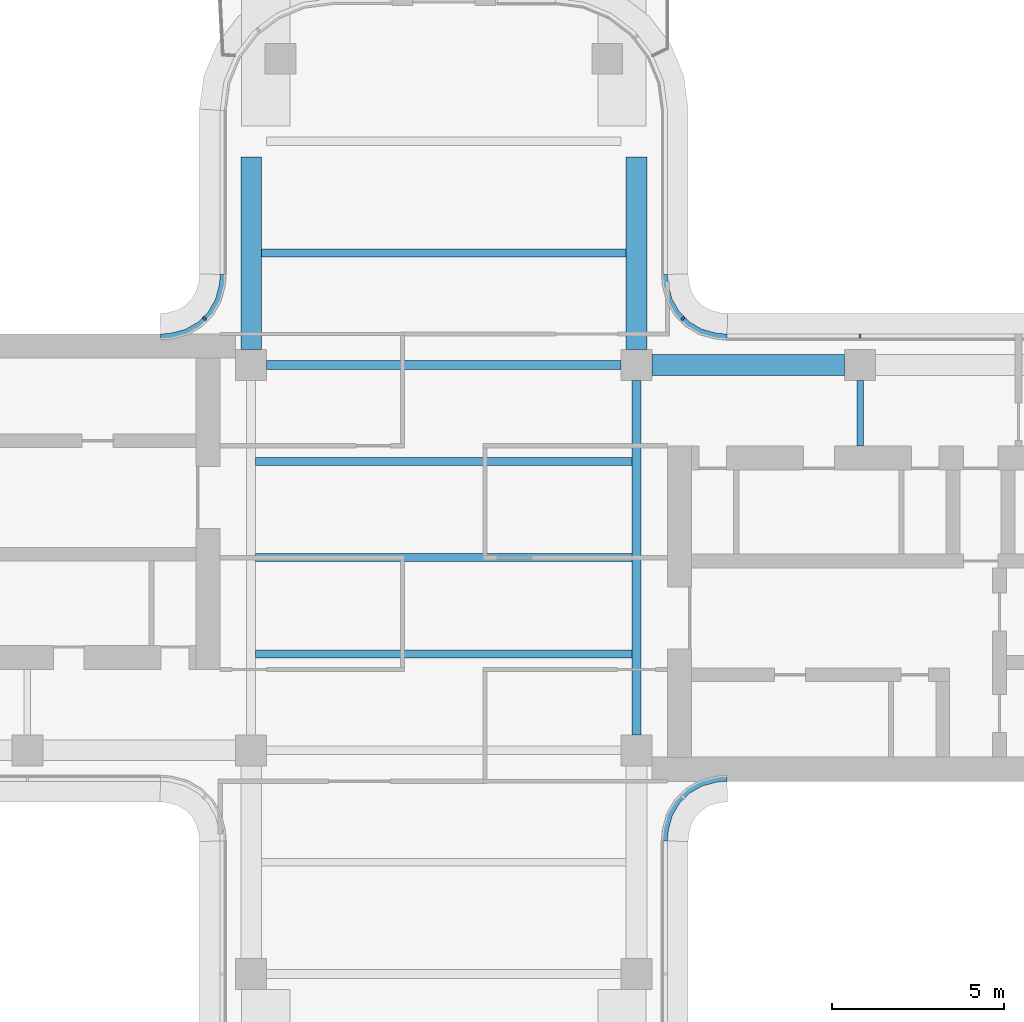
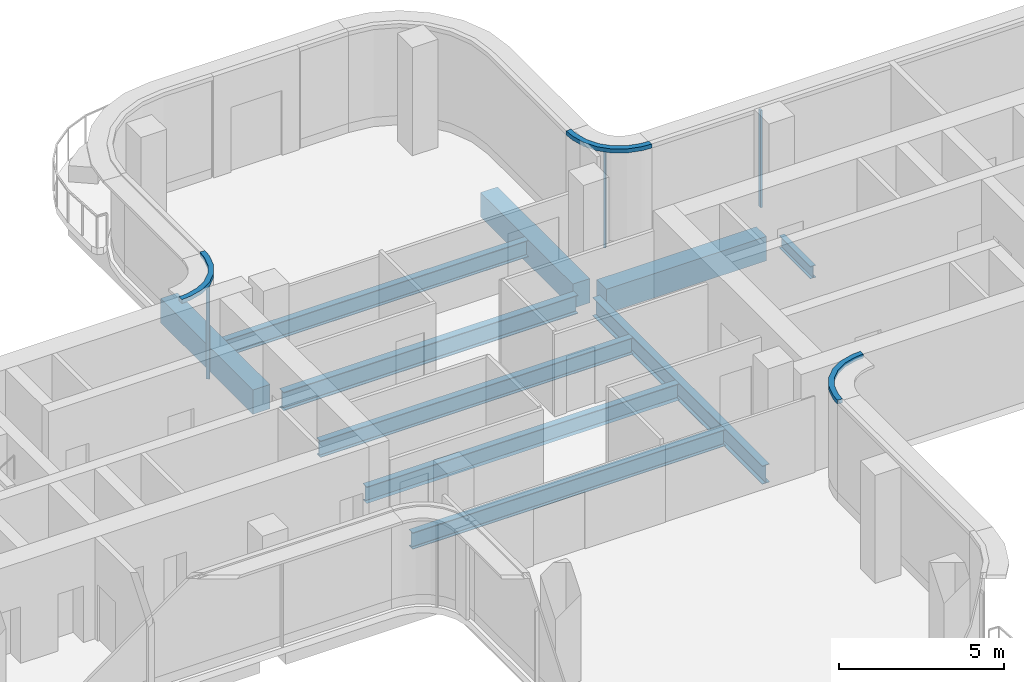
# One storey, part 5 of 18: 10 beams, 6 members, 4 elements without a shape of their own.
"""IFC4 building model written with IfcOpenShell, lengths in metres."""

from ifc_helpers import new_model, si_unit, direction, frame, origin, origin_2d, place, context, subcontext, project, spatial, polyline, rectangle, i_section, outline, extrude, source, transform, mapped, material, layer, layer_set, material_profile, profile_set, type_object, element, aggregate, save


model = new_model("IFC4")

# Units and contexts
model_context = context("Model", 3, precision=1e-05, world=origin(), true_north=direction((0.0, 1.0)))
body_context = subcontext(model_context, "Body", "Model", "MODEL_VIEW")
ifc_project = project(units=[si_unit("LENGTHUNIT", "METRE"), si_unit("AREAUNIT", "SQUARE_METRE"), si_unit("VOLUMEUNIT", "CUBIC_METRE"), si_unit("PLANEANGLEUNIT", "RADIAN"), si_unit("MASSUNIT", "GRAM", prefix="KILO")], contexts=[model_context])

# Site, building, storey
site_placement = place(None, origin())
site = spatial("IfcSite", under=ifc_project, at=site_placement, CompositionType="ELEMENT")
building_placement = place(site_placement, origin())
building = spatial("IfcBuilding", under=site, at=building_placement, Name="Trellis Farm Tower", CompositionType="ELEMENT")
storey_placement = place(building_placement, frame((0.0, 0.0, 338.10009765625)))
storey = spatial("IfcBuildingStorey", under=building, at=storey_placement, Name="L76", CompositionType="ELEMENT", Elevation=338.10009765625)

# Beams
ifc_material_1 = material(Name="Steel S355", Category="steel")
ifc_material_profile_1 = material_profile(ifc_material_1, i_section(OverallWidth=0.22900390625, OverallDepth=0.6123046875, WebThickness=0.011962890625, FlangeThickness=0.01953125, FilletRadius=0.0126953125, at=origin_2d()), Name="UB 610x229x125")
ifc_profile_set_1 = profile_set([ifc_material_profile_1], Name="Steel S355")
beam_type_1 = type_object("IfcBeamType", Name="UB 610x229x125 joist", PredefinedType="JOIST", material=ifc_profile_set_1)
shared_shape_1 = source(origin(), body_context, "Body", "SweptSolid", [
    extrude(i_section(OverallWidth=0.22900390625, OverallDepth=0.6123046875, WebThickness=0.011962890625, FlangeThickness=0.01953125, FilletRadius=0.0126953125, at=origin_2d()), origin(), (0.0, 0.0, 1.0), 10.9462890625),
])
for number, where, z_axis, x_axis, name in (
    (1, (-5.47314453125, -2.800048828125, -0.55615234375), (1.0, 0.0, 0.0), (0.0, 1.0, 0.0), "Floor beam"),
    (2, (-5.47314453125, 0.0, -0.55615234375), (1.0, 0.0, 0.0), (0.0, 1.0, 0.0), "Floor beam"),
    (3, (-5.47314453125, 2.800048828125, -0.55615234375), (1.0, 0.0, 0.0), (0.0, 1.0, 0.0), "Floor beam"),
):
    element("IfcBeam", number, at=place(storey_placement, frame(where, z_axis=z_axis, x_axis=x_axis)), inside=storey, type_object=beam_type_1, Name=name, PredefinedType="JOIST", context=body_context, shape_type="MappedRepresentation", body=[
        mapped(shared_shape_1, transform((0.0, 0.0, 0.0))),
    ])
shared_shape_2 = source(origin(), body_context, "Body", "SweptSolid", [
    extrude(i_section(OverallWidth=0.22900390625, OverallDepth=0.6123046875, WebThickness=0.011962890625, FlangeThickness=0.01953125, FilletRadius=0.0126953125, at=origin_2d()), origin(), (0.0, 0.0, 1.0), 10.60009765625),
])
beam_1_placement = place(storey_placement, frame((-5.300048828125, 8.85009765625, -0.55615234375), z_axis=(1.0, 0.0, 0.0), x_axis=(0.0, 1.0, 0.0)))
element("IfcBeam", 4, at=beam_1_placement, inside=storey, type_object=beam_type_1, Name="Floor beam", PredefinedType="JOIST", context=body_context, shape_type="MappedRepresentation", body=[
    mapped(shared_shape_2, transform((0.0, 0.0, 0.0))),
])
ifc_material_2 = material(Name="Concrete C60/75", Category="concrete")
ifc_material_profile_2 = material_profile(ifc_material_2, rectangle(XDim=0.60009765625, YDim=0.89990234375, at=origin_2d()), Name="RC spandrel beam 600x900 C60/75")
ifc_profile_set_2 = profile_set([ifc_material_profile_2], Name="Concrete C60/75")
beam_type_2 = type_object("IfcBeamType", Name="RC spandrel beam 600x900 C60/75", PredefinedType="SPANDREL", material=ifc_profile_set_2)
shared_shape_3 = source(origin(), body_context, "Body", "SweptSolid", [
    extrude(rectangle(XDim=0.60009765625, YDim=0.89990234375, at=origin_2d()), origin(), (0.0, 0.0, 1.0), 5.599853515625),
])
for number, where, z_axis, x_axis, name in (
    (5, (6.050048828125, 5.60009765625, -0.7001953125), (1.0, 0.0, 0.0), (0.0, 1.0, 0.0), "Girder"),
    (6, (-5.60009765625, 6.050048828125, -0.7001953125), (0.0, 1.0, 0.0), (-1.0, 0.0, 0.0), "Girder"),
    (7, (5.60009765625, 6.050048828125, -0.7001953125), (0.0, 1.0, 0.0), (-1.0, 0.0, 0.0), "Girder"),
):
    element("IfcBeam", number, at=place(storey_placement, frame(where, z_axis=z_axis, x_axis=x_axis)), inside=storey, type_object=beam_type_2, Name=name, PredefinedType="SPANDREL", context=body_context, shape_type="MappedRepresentation", body=[
        mapped(shared_shape_3, transform((0.0, 0.0, 0.0))),
    ])
ifc_material_profile_3 = material_profile(ifc_material_1, i_section(OverallWidth=0.253662109375, OverallDepth=0.68359375, WebThickness=0.012451171875, FlangeThickness=0.021728515625, FilletRadius=0.01513671875, at=origin_2d()), Name="UB 686x254x140")
ifc_profile_set_3 = profile_set([ifc_material_profile_3], Name="Steel S355")
beam_type_3 = type_object("IfcBeamType", Name="UB 686x254x140", PredefinedType="BEAM", material=ifc_profile_set_3)
shared_shape_4 = source(origin(), body_context, "Body", "SweptSolid", [
    extrude(i_section(OverallWidth=0.253662109375, OverallDepth=0.68359375, WebThickness=0.012451171875, FlangeThickness=0.021728515625, FilletRadius=0.01513671875, at=origin_2d()), origin(), (0.0, 0.0, 1.0), 10.2998046875),
])
for number, where, z_axis, x_axis, name in (
    (8, (-5.14990234375, 5.60009765625, -0.591796875), (1.0, 0.0, 0.0), (0.0, 1.0, 0.0), "Girder"),
    (9, (5.60009765625, -5.14990234375, -0.591796875), (0.0, 1.0, 0.0), (-1.0, 0.0, 0.0), "Girder"),
):
    element("IfcBeam", number, at=place(storey_placement, frame(where, z_axis=z_axis, x_axis=x_axis)), inside=storey, type_object=beam_type_3, Name=name, PredefinedType="BEAM", context=body_context, shape_type="MappedRepresentation", body=[
        mapped(shared_shape_4, transform((0.0, 0.0, 0.0))),
    ])
ifc_material_profile_4 = material_profile(ifc_material_1, i_section(OverallWidth=0.1904296875, OverallDepth=0.45703125, WebThickness=0.009033203125, FlangeThickness=0.014404296875, FilletRadius=0.01025390625, at=origin_2d()), Name="UB 457x191x74")
ifc_profile_set_4 = profile_set([ifc_material_profile_4], Name="Steel S355")
beam_type_4 = type_object("IfcBeamType", Name="UB 457x191x74", PredefinedType="BEAM", material=ifc_profile_set_4)
shared_shape_5 = source(origin(), body_context, "Body", "SweptSolid", [
    extrude(i_section(OverallWidth=0.1904296875, OverallDepth=0.45703125, WebThickness=0.009033203125, FlangeThickness=0.014404296875, FilletRadius=0.01025390625, at=origin_2d()), origin(), (0.0, 0.0, 1.0), 1.89990234375),
])
beam_2_placement = place(storey_placement, frame((12.10009765625, 3.25, -0.478515625), z_axis=(0.0, 1.0, 0.0), x_axis=(-1.0, 0.0, 0.0)))
element("IfcBeam", 10, at=beam_2_placement, inside=storey, type_object=beam_type_4, Name="Girder", PredefinedType="BEAM", context=body_context, shape_type="MappedRepresentation", body=[
    mapped(shared_shape_5, transform((0.0, 0.0, 0.0))),
])

# Curtain wall, member
ifc_material_3 = material(Name="Aluminium and glass curtain wall", Category="aluminium")
ifc_layer_1 = layer(ifc_material_3, 0.176025390625)
ifc_layer_set_1 = layer_set([ifc_layer_1], Name="CROWN LANTERN CURTAIN WALL CW5")
curtain_wall_type = type_object("IfcCurtainWallType", Name="CROWN LANTERN CURTAIN WALL CW5", PredefinedType="NOTDEFINED", material=ifc_layer_set_1)
placement_1 = place(storey_placement, origin())
curtain_wall_1 = element("IfcCurtainWall", 11, at=placement_1, inside=storey, type_object=curtain_wall_type, Name="CW5 008", PredefinedType="NOTDEFINED")
ifc_material_4 = material(Name="Aluminium extrusion 6063-T6", Category="aluminium")
ifc_material_profile_5 = material_profile(ifc_material_4, rectangle(XDim=0.06005859375, YDim=0.1201171875, at=origin_2d()), Name="MULLION 60x120")
ifc_profile_set_5 = profile_set([ifc_material_profile_5], Name="Aluminium extrusion 6063-T6")
member_type_1 = type_object("IfcMemberType", Name="CW5 MULLION 60x120", PredefinedType="MULLION", material=ifc_profile_set_5)
shared_shape_6 = source(origin(), body_context, "Body", "SweptSolid", [
    extrude(rectangle(XDim=0.06005859375, YDim=0.1201171875, at=origin_2d()), origin(), (0.0, 0.0, 1.0), 3.599853515625),
])
member_1_placement = place(storey_placement, frame((12.10009765625, 6.43994140625, 0.0), z_axis=(0.0, 0.0, 1.0), x_axis=(-1.0, 0.0, 0.0)))
member_1 = element("IfcMember", 12, at=member_1_placement, type_object=member_type_1, Name="MU5 008-01", PredefinedType="MULLION", context=body_context, shape_type="MappedRepresentation", body=[
    mapped(shared_shape_6, transform((0.0, 0.0, 0.0))),
])
aggregate(curtain_wall_1, [member_1])

curtain_wall_2 = element("IfcCurtainWall", 13, at=placement_1, inside=storey, type_object=curtain_wall_type, Name="CW5 009", PredefinedType="NOTDEFINED")
member_2_placement = place(storey_placement, frame((6.953125, 6.953125, 0.0), z_axis=(0.0, 0.0, 1.0), x_axis=(-0.707106781187, 0.707106781187, 0.0)))
member_2 = element("IfcMember", 14, at=member_2_placement, type_object=member_type_1, Name="MU5 009-01", PredefinedType="MULLION", context=body_context, shape_type="MappedRepresentation", body=[
    mapped(shared_shape_6, transform((0.0, 0.0, 0.0))),
])

curtain_wall_3 = element("IfcCurtainWall", 15, at=placement_1, inside=storey, type_object=curtain_wall_type, Name="CW5 014", PredefinedType="NOTDEFINED")
member_3_placement = place(storey_placement, frame((-6.953125, 6.953125, 0.0), z_axis=(0.0, 0.0, 1.0), x_axis=(-0.707106781187, -0.707106781187, 0.0)))
member_3 = element("IfcMember", 16, at=member_3_placement, type_object=member_type_1, Name="MU5 014-01", PredefinedType="MULLION", context=body_context, shape_type="MappedRepresentation", body=[
    mapped(shared_shape_6, transform((0.0, 0.0, 0.0))),
])

curtain_wall_4 = element("IfcCurtainWall", 17, at=placement_1, inside=storey, type_object=curtain_wall_type, Name="CW5 005", PredefinedType="NOTDEFINED")
ifc_layer_2 = layer(ifc_material_4, 0.176025390625)
ifc_layer_set_2 = layer_set([ifc_layer_2], Name="Aluminium extrusion 6063-T6")
member_type_2 = type_object("IfcMemberType", Name="CW5 TRANSOM 176x150", PredefinedType="USERDEFINED", material=ifc_layer_set_2)
shared_shape_7 = source(origin(), body_context, "Body", "SweptSolid", [
    extrude(outline(polyline([(6.5, -8.2314453125), (6.513916015625, -8.01953125), (6.527587890625, -7.91552734375), (6.63671875, -7.508544921875), (6.846923828125, -7.144287109375), (7.144287109375, -6.846923828125), (7.508544921875, -6.63671875), (7.91552734375, -6.527587890625), (8.01953125, -6.513916015625), (8.2314453125, -6.5), (8.2255859375, -6.323974609375), (8.002197265625, -6.338623046875), (7.881103515625, -6.3544921875), (7.440673828125, -6.47265625), (7.0361328125, -6.7060546875), (6.7060546875, -7.0361328125), (6.47265625, -7.440673828125), (6.3544921875, -7.881103515625), (6.338623046875, -8.002197265625), (6.323974609375, -8.2255859375), (6.5, -8.2314453125)])), origin(), (0.0, 0.0, 1.0), 0.150146484375),
])
placement_2 = place(storey_placement, frame((0.0, 0.0, 3.599853515625)))
member_4 = element("IfcMember", 18, at=placement_2, type_object=member_type_2, Name="TR5 005", ObjectType="TRANSOM", PredefinedType="USERDEFINED", context=body_context, shape_type="MappedRepresentation", body=[
    mapped(shared_shape_7, transform((0.0, 0.0, 0.0))),
])
aggregate(curtain_wall_4, [member_4])

# Member
shared_shape_8 = source(origin(), body_context, "Body", "SweptSolid", [
    extrude(outline(polyline([(8.2314453125, 6.5), (8.01953125, 6.513916015625), (7.91552734375, 6.527587890625), (7.508544921875, 6.63671875), (7.144287109375, 6.846923828125), (6.846923828125, 7.144287109375), (6.63671875, 7.508544921875), (6.527587890625, 7.91552734375), (6.513916015625, 8.01953125), (6.5, 8.2314453125), (6.323974609375, 8.2255859375), (6.338623046875, 8.002197265625), (6.3544921875, 7.881103515625), (6.47265625, 7.440673828125), (6.7060546875, 7.0361328125), (7.0361328125, 6.7060546875), (7.440673828125, 6.47265625), (7.881103515625, 6.3544921875), (8.002197265625, 6.338623046875), (8.2255859375, 6.323974609375), (8.2314453125, 6.5)])), origin(), (0.0, 0.0, 1.0), 0.150146484375),
])
member_5 = element("IfcMember", 19, at=placement_2, type_object=member_type_2, Name="TR5 009", ObjectType="TRANSOM", PredefinedType="USERDEFINED", context=body_context, shape_type="MappedRepresentation", body=[
    mapped(shared_shape_8, transform((0.0, 0.0, 0.0))),
])

aggregate(curtain_wall_2, [member_2, member_5])

shared_shape_9 = source(origin(), body_context, "Body", "SweptSolid", [
    extrude(outline(polyline([(-6.5, 8.2314453125), (-6.513916015625, 8.01953125), (-6.527587890625, 7.91552734375), (-6.63671875, 7.508544921875), (-6.846923828125, 7.144287109375), (-7.144287109375, 6.846923828125), (-7.508544921875, 6.63671875), (-7.91552734375, 6.527587890625), (-8.01953125, 6.513916015625), (-8.2314453125, 6.5), (-8.2255859375, 6.323974609375), (-8.002197265625, 6.338623046875), (-7.881103515625, 6.3544921875), (-7.440673828125, 6.47265625), (-7.0361328125, 6.7060546875), (-6.7060546875, 7.0361328125), (-6.47265625, 7.440673828125), (-6.3544921875, 7.881103515625), (-6.338623046875, 8.002197265625), (-6.323974609375, 8.2255859375), (-6.5, 8.2314453125)])), origin(), (0.0, 0.0, 1.0), 0.150146484375),
])
member_6 = element("IfcMember", 20, at=placement_2, type_object=member_type_2, Name="TR5 014", ObjectType="TRANSOM", PredefinedType="USERDEFINED", context=body_context, shape_type="MappedRepresentation", body=[
    mapped(shared_shape_9, transform((0.0, 0.0, 0.0))),
])

aggregate(curtain_wall_3, [member_3, member_6])

save(model, "model.ifc")
